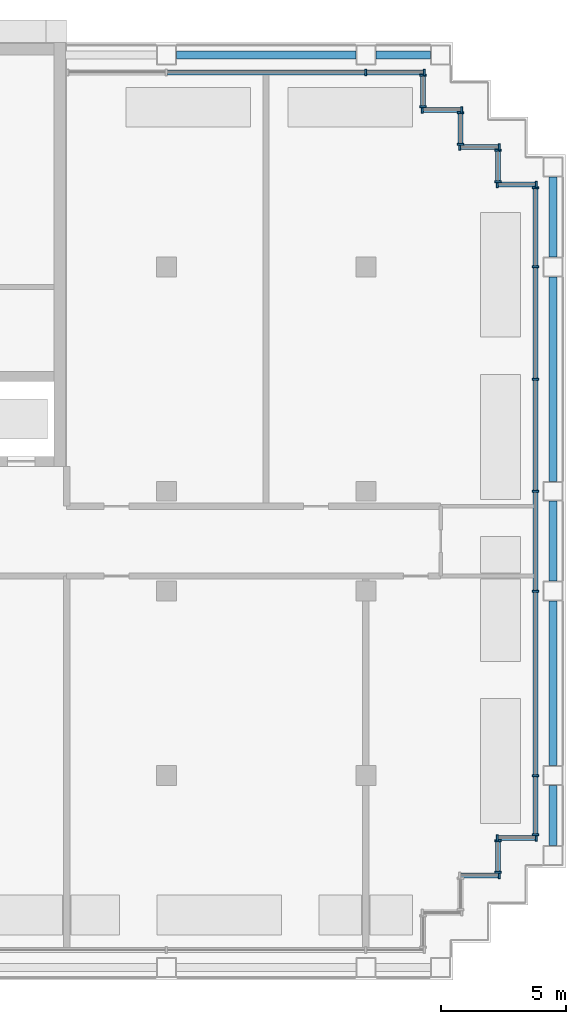
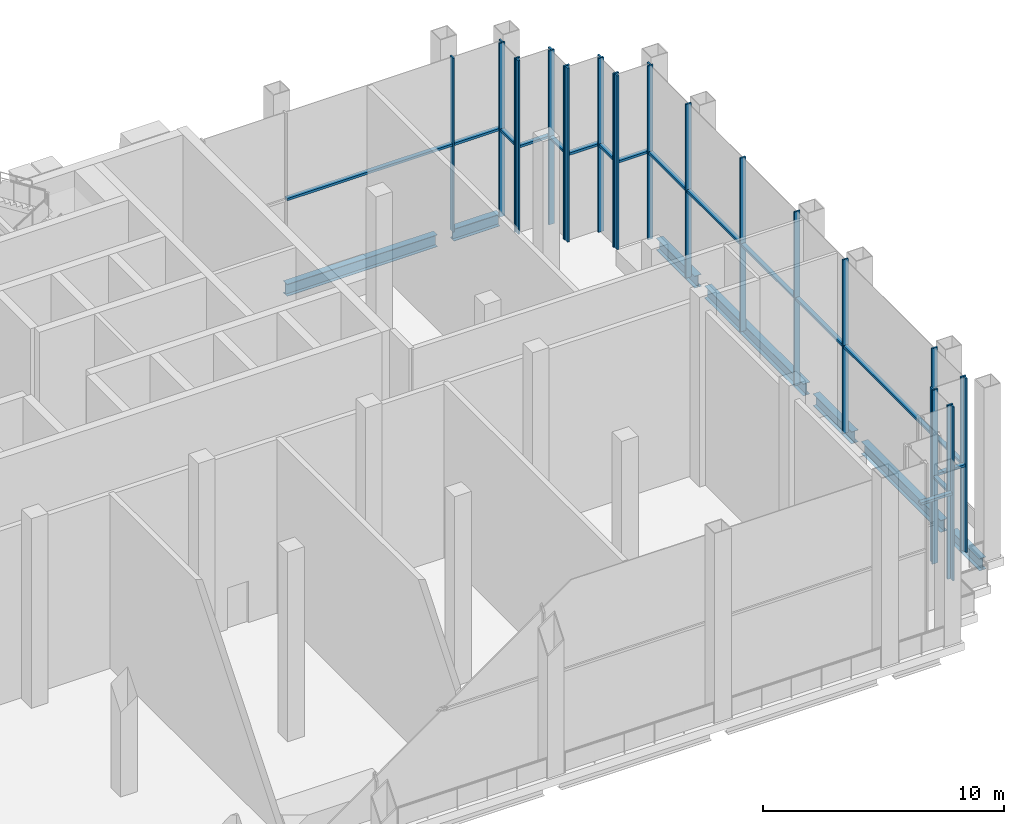
# One storey, part 5 of 16: 43 members, 7 beams, 11 elements without a shape of their own.
"""IFC4 building model written with IfcOpenShell, lengths in metres."""

import ifcopenshell
import ifcopenshell.guid

model = None  # the IFC model being written
_history = None  # IfcOwnerHistory: only IFC2X3 demands one
_inside = {}  # id of a spatial element -> (the spatial element, [elements in it])
_under = {}  # id of a project, library or spatial element -> (it, [spatial elements below it])
_declared = {}  # id of a project -> (the project, [libraries it declares])
_typed = {}  # id of a type object -> (the type object, [elements of that type])
_made_of = {}  # id of a material, layer set ... -> (it, [elements and type objects made of it])


def new_model(schema):
    """Start an empty IFC model of exactly this schema.

    Asked for "IFC4X3", IfcOpenShell would pick the latest addendum, in which some entities
    have other attributes; the version numbers below select the first issue.
    IFC2X3 requires an IfcOwnerHistory on every rooted entity: one is made here for all.
    """
    global model, _history
    if schema == "IFC4X3":
        model = ifcopenshell.file(schema_version=(4, 3, 0, 0))
    else:
        model = ifcopenshell.file(schema=schema)
    _inside.clear()
    _under.clear()
    _declared.clear()
    _typed.clear()
    _made_of.clear()
    _history = None
    if model.schema == "IFC2X3":
        org = make("IfcOrganization", Name="unknown")
        user = make(
            "IfcPersonAndOrganization",
            ThePerson=make("IfcPerson", FamilyName="unknown"),
            TheOrganization=org,
        )
        app = make(
            "IfcApplication",
            ApplicationDeveloper=org,
            Version="unknown",
            ApplicationFullName="unknown",
            ApplicationIdentifier="unknown",
        )
        _history = make(
            "IfcOwnerHistory",
            OwningUser=user,
            OwningApplication=app,
            ChangeAction="ADDED",
            CreationDate=0,
        )
    return model


def make(cls, **values):
    """One entity of the class cls with the attributes given. An attribute that is None is left unset."""
    return model.create_entity(
        cls, **{name: value for name, value in values.items() if value is not None}
    )


def rooted(cls, **values):
    """An entity with a GlobalId (a new one), such as an element, a storey or a relation."""
    return make(cls, GlobalId=ifcopenshell.guid.new(), OwnerHistory=_history, **values)


def si_unit(unit_type, name, prefix=None):
    """IfcSIUnit, for example si_unit("LENGTHUNIT", "METRE", prefix="MILLI")."""
    return make("IfcSIUnit", UnitType=unit_type, Prefix=prefix, Name=name)


def assignment(units):
    """IfcUnitAssignment: the units of a project."""
    return None if units is None else make("IfcUnitAssignment", Units=units)


def point(xyz):
    """IfcCartesianPoint."""
    return None if xyz is None else make("IfcCartesianPoint", Coordinates=xyz)


def direction(xyz):
    """IfcDirection."""
    return None if xyz is None else make("IfcDirection", DirectionRatios=xyz)


def frame(location, z_axis=None, x_axis=None):
    """IfcAxis2Placement3D, a coordinate frame: its origin and axes. An axis left out is left unset."""
    return make(
        "IfcAxis2Placement3D",
        Location=point(location),
        Axis=direction(z_axis),
        RefDirection=direction(x_axis),
    )


def frame_2d(location, x_axis=None):
    """IfcAxis2Placement2D, a coordinate frame in the plane: its origin and x axis."""
    return make(
        "IfcAxis2Placement2D", Location=point(location), RefDirection=direction(x_axis)
    )


def origin():
    """The frame at (0, 0, 0) with its axes left unset."""
    return frame((0.0, 0.0, 0.0))


def origin_2d():
    """The frame at (0, 0) in the plane with its x axis left unset."""
    return frame_2d((0.0, 0.0))


def place(relative_to, where):
    """IfcLocalPlacement: puts the frame where relative to a parent placement (None: the world)."""
    return make(
        "IfcLocalPlacement", PlacementRelTo=relative_to, RelativePlacement=where
    )


def context(
    kind, dimensions, precision=None, world=None, true_north=None, identifier=None
):
    """IfcGeometricRepresentationContext, for example the 3D "Model" context."""
    return make(
        "IfcGeometricRepresentationContext",
        ContextIdentifier=identifier,
        ContextType=kind,
        CoordinateSpaceDimension=dimensions,
        Precision=precision,
        WorldCoordinateSystem=world,
        TrueNorth=true_north,
    )


def subcontext(parent, identifier, kind, view, scale=None):
    """IfcGeometricRepresentationSubContext, for example "Body" below "Model"."""
    return make(
        "IfcGeometricRepresentationSubContext",
        ContextIdentifier=identifier,
        ContextType=kind,
        ParentContext=parent,
        TargetScale=scale,
        TargetView=view,
    )


def project(units=None, contexts=None):
    """IfcProject with its units and contexts."""
    return rooted(
        "IfcProject",
        Name="project",
        RepresentationContexts=contexts,
        UnitsInContext=assignment(units),
    )


def spatial(cls, under=None, at=None, **own):
    """A site, building, storey or space (cls), placed at a placement, below another one or the project."""
    s = rooted(cls, ObjectPlacement=at, **own)
    if under is not None:
        _under.setdefault(under.id(), (under, []))[1].append(s)
    return s


def profile(cls, at=None, kind="AREA", **sizes):
    """A parametric profile (cls). Its sizes go by their IFC names, for example OverallWidth=200.0."""
    return make(cls, ProfileType=kind, Position=at, **sizes)


def rectangle(**sizes):
    """IfcRectangleProfileDef."""
    return profile("IfcRectangleProfileDef", **sizes)


def i_section(**sizes):
    """IfcIShapeProfileDef."""
    return profile("IfcIShapeProfileDef", **sizes)


def extrude(swept, where, along, depth):
    """IfcExtrudedAreaSolid: the profile swept, set in the frame where, extruded along a direction by depth."""
    return make(
        "IfcExtrudedAreaSolid",
        SweptArea=swept,
        Position=where,
        ExtrudedDirection=direction(along),
        Depth=depth,
    )


def shape(context_of_items, identifier, shape_type, items):
    """IfcShapeRepresentation: the items that make up one representation, for example the "Body"."""
    return make(
        "IfcShapeRepresentation",
        ContextOfItems=context_of_items,
        RepresentationIdentifier=identifier,
        RepresentationType=shape_type,
        Items=items,
    )


def material(Name=None, Category=None):
    """IfcMaterial."""
    return make("IfcMaterial", Name=Name, Category=Category)


def material_profile(
    of_material, cross_section, Name=None, Category=None, Priority=None
):
    """IfcMaterialProfile: a cross section and its material."""
    return make(
        "IfcMaterialProfile",
        Name=Name,
        Material=of_material,
        Profile=cross_section,
        Priority=Priority,
        Category=Category,
    )


def profile_set(profiles, Name=None, composite=None):
    """IfcMaterialProfileSet."""
    return make(
        "IfcMaterialProfileSet",
        Name=Name,
        MaterialProfiles=profiles,
        CompositeProfile=composite,
    )


def made_of(thing, what):
    """Note that an element or type object is made of a material, layer set ...; save() writes the relation."""
    if what is not None:
        _made_of.setdefault(what.id(), (what, []))[1].append(thing)
    return thing


def type_object(cls, material=None, **own):
    """A type object (cls), such as IfcWallType, which elements share."""
    return made_of(rooted(cls, **own), material)


def element(
    cls,
    number,
    at=None,
    inside=None,
    cuts=None,
    type_object=None,
    material=None,
    context=None,
    identifier="Body",
    shape_type=None,
    held_by="IfcProductDefinitionShape",
    body=None,
    shapes=None,
    **own,
):
    """One element of the class cls, such as IfcWall. Its Tag is "e" and its number.

    at: its placement. inside: the storey or other place that contains it. cuts: it is an
    opening in that element (IfcRelVoidsElement). A single representation is given by context,
    identifier, shape_type and body (its items); several are given by shapes. held_by: the class
    of the entity that holds the representations. save() writes the other relations.
    """
    e = rooted(cls, Tag="e%d" % number, ObjectPlacement=at, **own)
    if body is not None:
        shapes = [shape(context, identifier, shape_type, body)]
    if shapes is not None:
        e.Representation = make(held_by, Representations=shapes)
    if inside is not None:
        _inside.setdefault(inside.id(), (inside, []))[1].append(e)
    if cuts is not None:
        rooted(
            "IfcRelVoidsElement", RelatingBuildingElement=cuts, RelatedOpeningElement=e
        )
    if type_object is not None:
        _typed.setdefault(type_object.id(), (type_object, []))[1].append(e)
    return made_of(e, material)


def aggregate(whole, parts):
    """IfcRelAggregates: a whole, such as a stair, and the parts it consists of."""
    return rooted("IfcRelAggregates", RelatingObject=whole, RelatedObjects=parts)


def save(model, path):
    """Write the relations noted so far, then the file.

    IfcRelAggregates (storeys below a building ...), IfcRelContainedInSpatialStructure (elements
    in a storey), IfcRelDefinesByType, IfcRelAssociatesMaterial and IfcRelDeclares: one each for
    every whole, place, type object, material and project.
    """
    for whole, parts in _under.values():
        aggregate(whole, parts)
    for where, things in _inside.values():
        rooted(
            "IfcRelContainedInSpatialStructure",
            RelatedElements=things,
            RelatingStructure=where,
        )
    for kind, things in _typed.values():
        rooted("IfcRelDefinesByType", RelatedObjects=things, RelatingType=kind)
    for what, things in _made_of.values():
        rooted("IfcRelAssociatesMaterial", RelatedObjects=things, RelatingMaterial=what)
    for by, libraries in _declared.values():
        rooted("IfcRelDeclares", RelatingContext=by, RelatedDefinitions=libraries)
    model.write(path)


model = new_model("IFC4")

# Units and contexts
model_context = context("Model", 3, precision=1e-05, world=origin(), true_north=direction((0.0, 1.0)))
body_context = subcontext(model_context, "Body", "Model", "MODEL_VIEW")
ifc_project = project(units=[si_unit("LENGTHUNIT", "METRE"), si_unit("AREAUNIT", "SQUARE_METRE"), si_unit("VOLUMEUNIT", "CUBIC_METRE"), si_unit("PLANEANGLEUNIT", "RADIAN"), si_unit("MASSUNIT", "GRAM", prefix="KILO")], contexts=[model_context])

# Site, building, storey
site_placement = place(None, origin())
site = spatial("IfcSite", under=ifc_project, at=site_placement, CompositionType="ELEMENT")
building_placement = place(site_placement, origin())
building = spatial("IfcBuilding", under=site, at=building_placement, Name="Vidyagriha Tower", CompositionType="ELEMENT")
storey_placement = place(building_placement, frame((0.0, 0.0, 151.800048828125)))
storey = spatial("IfcBuildingStorey", under=building, at=storey_placement, Name="L40", CompositionType="ELEMENT", Elevation=151.800048828125)

# Beams
ifc_material_1 = material(Name="Steel ASTM A992 Grade 50", Category="steel")
ifc_material_profile_1 = material_profile(ifc_material_1, i_section(OverallWidth=0.32373046875, OverallDepth=0.612060546875, WebThickness=0.0126953125, FlangeThickness=0.01904296875, at=origin_2d()), Name="W24X104")
ifc_profile_set_1 = profile_set([ifc_material_profile_1], Name="Steel ASTM A992 Grade 50")
beam_type = type_object("IfcBeamType", Name="Edge beam W24X104", PredefinedType="SPANDREL", material=ifc_profile_set_1)
beam_1_placement = place(storey_placement, frame((33.5, -12.199951171875, -0.7060546875), z_axis=(0.0, 1.0, 0.0), x_axis=(-1.0, 0.0, 0.0)))
element("IfcBeam", 1, at=beam_1_placement, inside=storey, type_object=beam_type, Name="st-beam-L40-E14", PredefinedType="SPANDREL", context=body_context, shape_type="SweptSolid", body=[
    extrude(i_section(OverallWidth=0.32373046875, OverallDepth=0.612060546875, WebThickness=0.0126953125, FlangeThickness=0.01904296875, at=origin_2d()), origin(), (0.0, 0.0, 1.0), 2.39990234375),
])
beam_2_placement = place(storey_placement, frame((33.5, -9.0, -0.7060546875), z_axis=(0.0, 1.0, 0.0), x_axis=(-1.0, 0.0, 0.0)))
element("IfcBeam", 2, at=beam_2_placement, inside=storey, type_object=beam_type, Name="st-beam-L40-E15", PredefinedType="SPANDREL", context=body_context, shape_type="SweptSolid", body=[
    extrude(i_section(OverallWidth=0.32373046875, OverallDepth=0.612060546875, WebThickness=0.0126953125, FlangeThickness=0.01904296875, at=origin_2d()), origin(), (0.0, 0.0, 1.0), 6.60009765625),
])
beam_3_placement = place(storey_placement, frame((33.5, -1.60009765625, -0.7060546875), z_axis=(0.0, 1.0, 0.0), x_axis=(-1.0, 0.0, 0.0)))
element("IfcBeam", 3, at=beam_3_placement, inside=storey, type_object=beam_type, Name="st-beam-L40-E16", PredefinedType="SPANDREL", context=body_context, shape_type="SweptSolid", body=[
    extrude(i_section(OverallWidth=0.32373046875, OverallDepth=0.612060546875, WebThickness=0.0126953125, FlangeThickness=0.01904296875, at=origin_2d()), origin(), (0.0, 0.0, 1.0), 3.2001953125),
])
beam_4_placement = place(storey_placement, frame((33.5, 2.39990234375, -0.7060546875), z_axis=(0.0, 1.0, 0.0), x_axis=(-1.0, 0.0, 0.0)))
element("IfcBeam", 4, at=beam_4_placement, inside=storey, type_object=beam_type, Name="st-beam-L40-E17", PredefinedType="SPANDREL", context=body_context, shape_type="SweptSolid", body=[
    extrude(i_section(OverallWidth=0.32373046875, OverallDepth=0.612060546875, WebThickness=0.0126953125, FlangeThickness=0.01904296875, at=origin_2d()), origin(), (0.0, 0.0, 1.0), 8.2001953125),
])
beam_5_placement = place(storey_placement, frame((33.5, 11.39990234375, -0.7060546875), z_axis=(0.0, 1.0, 0.0), x_axis=(-1.0, 0.0, 0.0)))
element("IfcBeam", 5, at=beam_5_placement, inside=storey, type_object=beam_type, Name="st-beam-L40-E18", PredefinedType="SPANDREL", context=body_context, shape_type="SweptSolid", body=[
    extrude(i_section(OverallWidth=0.32373046875, OverallDepth=0.612060546875, WebThickness=0.0126953125, FlangeThickness=0.01904296875, at=origin_2d()), origin(), (0.0, 0.0, 1.0), 3.2001953125),
])
beam_6_placement = place(storey_placement, frame((18.39990234375, 19.5, -0.7060546875), z_axis=(1.0, 0.0, 0.0), x_axis=(0.0, 1.0, 0.0)))
element("IfcBeam", 6, at=beam_6_placement, inside=storey, type_object=beam_type, Name="st-beam-L40-NE20", PredefinedType="SPANDREL", context=body_context, shape_type="SweptSolid", body=[
    extrude(i_section(OverallWidth=0.32373046875, OverallDepth=0.612060546875, WebThickness=0.0126953125, FlangeThickness=0.01904296875, at=origin_2d()), origin(), (0.0, 0.0, 1.0), 7.2001953125),
])
beam_7_placement = place(storey_placement, frame((26.39990234375, 19.5, -0.7060546875), z_axis=(1.0, 0.0, 0.0), x_axis=(0.0, 1.0, 0.0)))
element("IfcBeam", 7, at=beam_7_placement, inside=storey, type_object=beam_type, Name="st-beam-L40-NE21", PredefinedType="SPANDREL", context=body_context, shape_type="SweptSolid", body=[
    extrude(i_section(OverallWidth=0.32373046875, OverallDepth=0.612060546875, WebThickness=0.0126953125, FlangeThickness=0.01904296875, at=origin_2d()), origin(), (0.0, 0.0, 1.0), 2.2001953125),
])

# Curtain wall, members
ifc_material_2 = material(Name="Aluminium and glass curtain wall", Category="aluminium")
curtain_wall_type = type_object("IfcCurtainWallType", Name="Winter garden glazing wall", PredefinedType="USERDEFINED", material=ifc_material_2)
curtain_wall_1_placement = place(storey_placement, origin())
curtain_wall_1 = element("IfcCurtainWall", 8, at=curtain_wall_1_placement, inside=storey, type_object=curtain_wall_type, Name="CW3 winter garden glazing", ObjectType="STICK GLAZING", PredefinedType="USERDEFINED")
ifc_material_3 = material(Name="Aluminium black anodised", Category="aluminium")
ifc_material_profile_2 = material_profile(ifc_material_3, rectangle(XDim=0.260009765625, YDim=0.080078125, at=origin_2d()), Name="Mullion 80x260 black aluminium")
ifc_profile_set_2 = profile_set([ifc_material_profile_2], Name="Aluminium black anodised")
member_type_1 = type_object("IfcMemberType", Name="Mullion 80x260 black aluminium", PredefinedType="MULLION", material=ifc_profile_set_2)
member_1_placement = place(storey_placement, frame((32.840087890625, 14.300048828125, 0.0), z_axis=(0.0, 0.0, 1.0), x_axis=(0.0, -1.0, 0.0)))
member_1 = element("IfcMember", 9, at=member_1_placement, type_object=member_type_1, Name="CW3 mullion 1", PredefinedType="MULLION", context=body_context, shape_type="SweptSolid", body=[
    extrude(rectangle(XDim=0.260009765625, YDim=0.080078125, at=origin_2d()), origin(), (0.0, 0.0, 1.0), 8.800048828125),
])
member_2_placement = place(storey_placement, frame((31.260009765625, 14.300048828125, 0.0), z_axis=(0.0, 0.0, 1.0), x_axis=(0.0, -1.0, 0.0)))
member_2 = element("IfcMember", 10, at=member_2_placement, type_object=member_type_1, Name="CW3 mullion 2", PredefinedType="MULLION", context=body_context, shape_type="SweptSolid", body=[
    extrude(rectangle(XDim=0.260009765625, YDim=0.080078125, at=origin_2d()), origin(), (0.0, 0.0, 1.0), 8.800048828125),
])

curtain_wall_2_placement = place(storey_placement, origin())
curtain_wall_2 = element("IfcCurtainWall", 11, at=curtain_wall_2_placement, inside=storey, type_object=curtain_wall_type, Name="CW3 winter garden glazing", ObjectType="STICK GLAZING", PredefinedType="USERDEFINED")
member_3_placement = place(storey_placement, frame((31.300048828125, 14.419921875, 0.0), z_axis=(0.0, 0.0, 1.0), x_axis=(-1.0, 0.0, 0.0)))
member_3 = element("IfcMember", 12, at=member_3_placement, type_object=member_type_1, Name="CW3 mullion 1", PredefinedType="MULLION", context=body_context, shape_type="SweptSolid", body=[
    extrude(rectangle(XDim=0.260009765625, YDim=0.080078125, at=origin_2d()), origin(), (0.0, 0.0, 1.0), 8.800048828125),
])
member_4_placement = place(storey_placement, frame((31.300048828125, 15.679931640625, 0.0), z_axis=(0.0, 0.0, 1.0), x_axis=(-1.0, 0.0, 0.0)))
member_4 = element("IfcMember", 13, at=member_4_placement, type_object=member_type_1, Name="CW3 mullion 2", PredefinedType="MULLION", context=body_context, shape_type="SweptSolid", body=[
    extrude(rectangle(XDim=0.260009765625, YDim=0.080078125, at=origin_2d()), origin(), (0.0, 0.0, 1.0), 8.800048828125),
])

curtain_wall_3_placement = place(storey_placement, origin())
curtain_wall_3 = element("IfcCurtainWall", 14, at=curtain_wall_3_placement, inside=storey, type_object=curtain_wall_type, Name="CW3 winter garden glazing", ObjectType="STICK GLAZING", PredefinedType="USERDEFINED")
member_5_placement = place(storey_placement, frame((31.340087890625, 15.800048828125, 0.0), z_axis=(0.0, 0.0, 1.0), x_axis=(0.0, -1.0, 0.0)))
member_5 = element("IfcMember", 15, at=member_5_placement, type_object=member_type_1, Name="CW3 mullion 1", PredefinedType="MULLION", context=body_context, shape_type="SweptSolid", body=[
    extrude(rectangle(XDim=0.260009765625, YDim=0.080078125, at=origin_2d()), origin(), (0.0, 0.0, 1.0), 8.800048828125),
])
member_6_placement = place(storey_placement, frame((29.760009765625, 15.800048828125, 0.0), z_axis=(0.0, 0.0, 1.0), x_axis=(0.0, -1.0, 0.0)))
member_6 = element("IfcMember", 16, at=member_6_placement, type_object=member_type_1, Name="CW3 mullion 2", PredefinedType="MULLION", context=body_context, shape_type="SweptSolid", body=[
    extrude(rectangle(XDim=0.260009765625, YDim=0.080078125, at=origin_2d()), origin(), (0.0, 0.0, 1.0), 8.800048828125),
])

curtain_wall_4_placement = place(storey_placement, origin())
curtain_wall_4 = element("IfcCurtainWall", 17, at=curtain_wall_4_placement, inside=storey, type_object=curtain_wall_type, Name="CW3 winter garden glazing", ObjectType="STICK GLAZING", PredefinedType="USERDEFINED")
member_7_placement = place(storey_placement, frame((29.800048828125, 15.919921875, 0.0), z_axis=(0.0, 0.0, 1.0), x_axis=(-1.0, 0.0, 0.0)))
member_7 = element("IfcMember", 18, at=member_7_placement, type_object=member_type_1, Name="CW3 mullion 1", PredefinedType="MULLION", context=body_context, shape_type="SweptSolid", body=[
    extrude(rectangle(XDim=0.260009765625, YDim=0.080078125, at=origin_2d()), origin(), (0.0, 0.0, 1.0), 8.800048828125),
])
member_8_placement = place(storey_placement, frame((29.800048828125, 17.179931640625, 0.0), z_axis=(0.0, 0.0, 1.0), x_axis=(-1.0, 0.0, 0.0)))
member_8 = element("IfcMember", 19, at=member_8_placement, type_object=member_type_1, Name="CW3 mullion 2", PredefinedType="MULLION", context=body_context, shape_type="SweptSolid", body=[
    extrude(rectangle(XDim=0.260009765625, YDim=0.080078125, at=origin_2d()), origin(), (0.0, 0.0, 1.0), 8.800048828125),
])

curtain_wall_5_placement = place(storey_placement, origin())
curtain_wall_5 = element("IfcCurtainWall", 20, at=curtain_wall_5_placement, inside=storey, type_object=curtain_wall_type, Name="CW3 winter garden glazing", ObjectType="STICK GLAZING", PredefinedType="USERDEFINED")
member_9_placement = place(storey_placement, frame((29.840087890625, 17.300048828125, 0.0), z_axis=(0.0, 0.0, 1.0), x_axis=(0.0, -1.0, 0.0)))
member_9 = element("IfcMember", 21, at=member_9_placement, type_object=member_type_1, Name="CW3 mullion 1", PredefinedType="MULLION", context=body_context, shape_type="SweptSolid", body=[
    extrude(rectangle(XDim=0.260009765625, YDim=0.080078125, at=origin_2d()), origin(), (0.0, 0.0, 1.0), 8.800048828125),
])
member_10_placement = place(storey_placement, frame((28.260009765625, 17.300048828125, 0.0), z_axis=(0.0, 0.0, 1.0), x_axis=(0.0, -1.0, 0.0)))
member_10 = element("IfcMember", 22, at=member_10_placement, type_object=member_type_1, Name="CW3 mullion 2", PredefinedType="MULLION", context=body_context, shape_type="SweptSolid", body=[
    extrude(rectangle(XDim=0.260009765625, YDim=0.080078125, at=origin_2d()), origin(), (0.0, 0.0, 1.0), 8.800048828125),
])

curtain_wall_6_placement = place(storey_placement, origin())
curtain_wall_6 = element("IfcCurtainWall", 23, at=curtain_wall_6_placement, inside=storey, type_object=curtain_wall_type, Name="CW3 winter garden glazing", ObjectType="STICK GLAZING", PredefinedType="USERDEFINED")
member_11_placement = place(storey_placement, frame((28.300048828125, 17.419921875, 0.0), z_axis=(0.0, 0.0, 1.0), x_axis=(-1.0, 0.0, 0.0)))
member_11 = element("IfcMember", 24, at=member_11_placement, type_object=member_type_1, Name="CW3 mullion 1", PredefinedType="MULLION", context=body_context, shape_type="SweptSolid", body=[
    extrude(rectangle(XDim=0.260009765625, YDim=0.080078125, at=origin_2d()), origin(), (0.0, 0.0, 1.0), 8.800048828125),
])
member_12_placement = place(storey_placement, frame((28.300048828125, 18.679931640625, 0.0), z_axis=(0.0, 0.0, 1.0), x_axis=(-1.0, 0.0, 0.0)))
member_12 = element("IfcMember", 25, at=member_12_placement, type_object=member_type_1, Name="CW3 mullion 2", PredefinedType="MULLION", context=body_context, shape_type="SweptSolid", body=[
    extrude(rectangle(XDim=0.260009765625, YDim=0.080078125, at=origin_2d()), origin(), (0.0, 0.0, 1.0), 8.800048828125),
])

curtain_wall_7_placement = place(storey_placement, origin())
curtain_wall_7 = element("IfcCurtainWall", 26, at=curtain_wall_7_placement, inside=storey, type_object=curtain_wall_type, Name="CW3 winter garden glazing", ObjectType="STICK GLAZING", PredefinedType="USERDEFINED")
member_13_placement = place(storey_placement, frame((28.340087890625, 18.800048828125, 0.0), z_axis=(0.0, 0.0, 1.0), x_axis=(0.0, -1.0, 0.0)))
member_13 = element("IfcMember", 27, at=member_13_placement, type_object=member_type_1, Name="CW3 mullion 1", PredefinedType="MULLION", context=body_context, shape_type="SweptSolid", body=[
    extrude(rectangle(XDim=0.260009765625, YDim=0.080078125, at=origin_2d()), origin(), (0.0, 0.0, 1.0), 8.800048828125),
])
member_14_placement = place(storey_placement, frame((26.0, 18.800048828125, 0.0), z_axis=(0.0, 0.0, 1.0), x_axis=(0.0, -1.0, 0.0)))
member_14 = element("IfcMember", 28, at=member_14_placement, type_object=member_type_1, Name="CW3 mullion 2", PredefinedType="MULLION", context=body_context, shape_type="SweptSolid", body=[
    extrude(rectangle(XDim=0.260009765625, YDim=0.080078125, at=origin_2d()), origin(), (0.0, 0.0, 1.0), 8.800048828125),
])

# Curtain wall, member
curtain_wall_8_placement = place(storey_placement, origin())
curtain_wall_8 = element("IfcCurtainWall", 29, at=curtain_wall_8_placement, inside=storey, type_object=curtain_wall_type, Name="CW3 winter garden glazing", ObjectType="STICK GLAZING", PredefinedType="USERDEFINED")
member_15_placement = place(storey_placement, frame((31.340087890625, -13.39990234375, 0.0), z_axis=(0.0, 0.0, 1.0), x_axis=(0.0, 1.0, 0.0)))
member_15 = element("IfcMember", 30, at=member_15_placement, type_object=member_type_1, Name="CW3 mullion 2", PredefinedType="MULLION", context=body_context, shape_type="SweptSolid", body=[
    extrude(rectangle(XDim=0.260009765625, YDim=0.080078125, at=origin_2d()), origin(), (0.0, 0.0, 1.0), 8.800048828125),
])

# Curtain wall, members
curtain_wall_9_placement = place(storey_placement, origin())
curtain_wall_9 = element("IfcCurtainWall", 31, at=curtain_wall_9_placement, inside=storey, type_object=curtain_wall_type, Name="CW3 winter garden glazing", ObjectType="STICK GLAZING", PredefinedType="USERDEFINED")
member_16_placement = place(storey_placement, frame((31.300048828125, -13.280029296875, 0.0), z_axis=(0.0, 0.0, 1.0), x_axis=(-1.0, 0.0, 0.0)))
member_16 = element("IfcMember", 32, at=member_16_placement, type_object=member_type_1, Name="CW3 mullion 1", PredefinedType="MULLION", context=body_context, shape_type="SweptSolid", body=[
    extrude(rectangle(XDim=0.260009765625, YDim=0.080078125, at=origin_2d()), origin(), (0.0, 0.0, 1.0), 8.800048828125),
])
member_17_placement = place(storey_placement, frame((31.300048828125, -12.02001953125, 0.0), z_axis=(0.0, 0.0, 1.0), x_axis=(-1.0, 0.0, 0.0)))
member_17 = element("IfcMember", 33, at=member_17_placement, type_object=member_type_1, Name="CW3 mullion 2", PredefinedType="MULLION", context=body_context, shape_type="SweptSolid", body=[
    extrude(rectangle(XDim=0.260009765625, YDim=0.080078125, at=origin_2d()), origin(), (0.0, 0.0, 1.0), 8.800048828125),
])

curtain_wall_10_placement = place(storey_placement, origin())
curtain_wall_10 = element("IfcCurtainWall", 34, at=curtain_wall_10_placement, inside=storey, type_object=curtain_wall_type, Name="CW3 winter garden glazing", ObjectType="STICK GLAZING", PredefinedType="USERDEFINED")
member_18_placement = place(storey_placement, frame((31.260009765625, -11.89990234375, 0.0), z_axis=(0.0, 0.0, 1.0), x_axis=(0.0, 1.0, 0.0)))
member_18 = element("IfcMember", 35, at=member_18_placement, type_object=member_type_1, Name="CW3 mullion 1", PredefinedType="MULLION", context=body_context, shape_type="SweptSolid", body=[
    extrude(rectangle(XDim=0.260009765625, YDim=0.080078125, at=origin_2d()), origin(), (0.0, 0.0, 1.0), 8.800048828125),
])
member_19_placement = place(storey_placement, frame((32.840087890625, -11.89990234375, 0.0), z_axis=(0.0, 0.0, 1.0), x_axis=(0.0, 1.0, 0.0)))
member_19 = element("IfcMember", 36, at=member_19_placement, type_object=member_type_1, Name="CW3 mullion 2", PredefinedType="MULLION", context=body_context, shape_type="SweptSolid", body=[
    extrude(rectangle(XDim=0.260009765625, YDim=0.080078125, at=origin_2d()), origin(), (0.0, 0.0, 1.0), 8.800048828125),
])

curtain_wall_11_placement = place(storey_placement, origin())
curtain_wall_11 = element("IfcCurtainWall", 37, at=curtain_wall_11_placement, inside=storey, type_object=curtain_wall_type, Name="CW3 winter garden glazing", ObjectType="STICK GLAZING", PredefinedType="USERDEFINED")
member_20_placement = place(storey_placement, frame((32.800048828125, -11.780029296875, 0.0), z_axis=(0.0, 0.0, 1.0), x_axis=(-1.0, 0.0, 0.0)))
member_20 = element("IfcMember", 38, at=member_20_placement, type_object=member_type_1, Name="CW3 mullion 1", PredefinedType="MULLION", context=body_context, shape_type="SweptSolid", body=[
    extrude(rectangle(XDim=0.260009765625, YDim=0.080078125, at=origin_2d()), origin(), (0.0, 0.0, 1.0), 8.800048828125),
])
member_21_placement = place(storey_placement, frame((32.800048828125, -9.39990234375, 0.0), z_axis=(0.0, 0.0, 1.0), x_axis=(-1.0, 0.0, 0.0)))
member_21 = element("IfcMember", 39, at=member_21_placement, type_object=member_type_1, Name="CW3 mullion 2", PredefinedType="MULLION", context=body_context, shape_type="SweptSolid", body=[
    extrude(rectangle(XDim=0.260009765625, YDim=0.080078125, at=origin_2d()), origin(), (0.0, 0.0, 1.0), 8.800048828125),
])
member_22_placement = place(storey_placement, frame((32.800048828125, -2.0, 0.0), z_axis=(0.0, 0.0, 1.0), x_axis=(-1.0, 0.0, 0.0)))
member_22 = element("IfcMember", 40, at=member_22_placement, type_object=member_type_1, Name="CW3 mullion 3", PredefinedType="MULLION", context=body_context, shape_type="SweptSolid", body=[
    extrude(rectangle(XDim=0.260009765625, YDim=0.080078125, at=origin_2d()), origin(), (0.0, 0.0, 1.0), 8.800048828125),
])
member_23_placement = place(storey_placement, frame((32.800048828125, 2.0, 0.0), z_axis=(0.0, 0.0, 1.0), x_axis=(-1.0, 0.0, 0.0)))
member_23 = element("IfcMember", 41, at=member_23_placement, type_object=member_type_1, Name="CW3 mullion 4", PredefinedType="MULLION", context=body_context, shape_type="SweptSolid", body=[
    extrude(rectangle(XDim=0.260009765625, YDim=0.080078125, at=origin_2d()), origin(), (0.0, 0.0, 1.0), 8.800048828125),
])
member_24_placement = place(storey_placement, frame((32.800048828125, 6.5, 0.0), z_axis=(0.0, 0.0, 1.0), x_axis=(-1.0, 0.0, 0.0)))
member_24 = element("IfcMember", 42, at=member_24_placement, type_object=member_type_1, Name="CW3 mullion 5", PredefinedType="MULLION", context=body_context, shape_type="SweptSolid", body=[
    extrude(rectangle(XDim=0.260009765625, YDim=0.080078125, at=origin_2d()), origin(), (0.0, 0.0, 1.0), 8.800048828125),
])
member_25_placement = place(storey_placement, frame((32.800048828125, 11.0, 0.0), z_axis=(0.0, 0.0, 1.0), x_axis=(-1.0, 0.0, 0.0)))
member_25 = element("IfcMember", 43, at=member_25_placement, type_object=member_type_1, Name="CW3 mullion 6", PredefinedType="MULLION", context=body_context, shape_type="SweptSolid", body=[
    extrude(rectangle(XDim=0.260009765625, YDim=0.080078125, at=origin_2d()), origin(), (0.0, 0.0, 1.0), 8.800048828125),
])
member_26_placement = place(storey_placement, frame((32.800048828125, 14.179931640625, 0.0), z_axis=(0.0, 0.0, 1.0), x_axis=(-1.0, 0.0, 0.0)))
member_26 = element("IfcMember", 44, at=member_26_placement, type_object=member_type_1, Name="CW3 mullion 7", PredefinedType="MULLION", context=body_context, shape_type="SweptSolid", body=[
    extrude(rectangle(XDim=0.260009765625, YDim=0.080078125, at=origin_2d()), origin(), (0.0, 0.0, 1.0), 8.800048828125),
])

# Member
ifc_material_4 = material(Name="Aluminium black anodised", Category="aluminium")
ifc_material_profile_3 = material_profile(ifc_material_4, rectangle(XDim=0.199951171875, YDim=0.1201171875, at=origin_2d()), Name="Transom 120x200 black aluminium")
ifc_profile_set_3 = profile_set([ifc_material_profile_3], Name="Aluminium black anodised")
member_type_2 = type_object("IfcMemberType", Name="Transom 120x200 black aluminium", PredefinedType="USERDEFINED", material=ifc_profile_set_3)
member_27_placement = place(storey_placement, frame((32.800048828125, 14.300048828125, 4.39990234375), z_axis=(-1.0, 0.0, 0.0), x_axis=(0.0, -1.0, 0.0)))
member_27 = element("IfcMember", 45, at=member_27_placement, type_object=member_type_2, Name="CW3 transom 1.1", ObjectType="TRANSOM", PredefinedType="USERDEFINED", context=body_context, shape_type="SweptSolid", body=[
    extrude(rectangle(XDim=0.199951171875, YDim=0.1201171875, at=origin_2d()), origin(), (0.0, 0.0, 1.0), 1.5),
])

aggregate(curtain_wall_1, [member_1, member_2, member_27])

member_28_placement = place(storey_placement, frame((31.300048828125, 14.4599609375, 4.39990234375), z_axis=(0.0, 1.0, 0.0), x_axis=(-1.0, 0.0, 0.0)))
member_28 = element("IfcMember", 46, at=member_28_placement, type_object=member_type_2, Name="CW3 transom 1.1", ObjectType="TRANSOM", PredefinedType="USERDEFINED", context=body_context, shape_type="SweptSolid", body=[
    extrude(rectangle(XDim=0.199951171875, YDim=0.1201171875, at=origin_2d()), origin(), (0.0, 0.0, 1.0), 1.179931640625),
])

aggregate(curtain_wall_2, [member_3, member_4, member_28])

member_29_placement = place(storey_placement, frame((31.300048828125, 15.800048828125, 4.39990234375), z_axis=(-1.0, 0.0, 0.0), x_axis=(0.0, -1.0, 0.0)))
member_29 = element("IfcMember", 47, at=member_29_placement, type_object=member_type_2, Name="CW3 transom 1.1", ObjectType="TRANSOM", PredefinedType="USERDEFINED", context=body_context, shape_type="SweptSolid", body=[
    extrude(rectangle(XDim=0.199951171875, YDim=0.1201171875, at=origin_2d()), origin(), (0.0, 0.0, 1.0), 1.5),
])

aggregate(curtain_wall_3, [member_5, member_6, member_29])

member_30_placement = place(storey_placement, frame((29.800048828125, 15.9599609375, 4.39990234375), z_axis=(0.0, 1.0, 0.0), x_axis=(-1.0, 0.0, 0.0)))
member_30 = element("IfcMember", 48, at=member_30_placement, type_object=member_type_2, Name="CW3 transom 1.1", ObjectType="TRANSOM", PredefinedType="USERDEFINED", context=body_context, shape_type="SweptSolid", body=[
    extrude(rectangle(XDim=0.199951171875, YDim=0.1201171875, at=origin_2d()), origin(), (0.0, 0.0, 1.0), 1.179931640625),
])

aggregate(curtain_wall_4, [member_7, member_8, member_30])

member_31_placement = place(storey_placement, frame((29.800048828125, 17.300048828125, 4.39990234375), z_axis=(-1.0, 0.0, 0.0), x_axis=(0.0, -1.0, 0.0)))
member_31 = element("IfcMember", 49, at=member_31_placement, type_object=member_type_2, Name="CW3 transom 1.1", ObjectType="TRANSOM", PredefinedType="USERDEFINED", context=body_context, shape_type="SweptSolid", body=[
    extrude(rectangle(XDim=0.199951171875, YDim=0.1201171875, at=origin_2d()), origin(), (0.0, 0.0, 1.0), 1.5),
])

aggregate(curtain_wall_5, [member_9, member_10, member_31])

member_32_placement = place(storey_placement, frame((28.300048828125, 17.4599609375, 4.39990234375), z_axis=(0.0, 1.0, 0.0), x_axis=(-1.0, 0.0, 0.0)))
member_32 = element("IfcMember", 50, at=member_32_placement, type_object=member_type_2, Name="CW3 transom 1.1", ObjectType="TRANSOM", PredefinedType="USERDEFINED", context=body_context, shape_type="SweptSolid", body=[
    extrude(rectangle(XDim=0.199951171875, YDim=0.1201171875, at=origin_2d()), origin(), (0.0, 0.0, 1.0), 1.179931640625),
])

aggregate(curtain_wall_6, [member_11, member_12, member_32])

member_33_placement = place(storey_placement, frame((28.300048828125, 18.800048828125, 4.39990234375), z_axis=(-1.0, 0.0, 0.0), x_axis=(0.0, -1.0, 0.0)))
member_33 = element("IfcMember", 51, at=member_33_placement, type_object=member_type_2, Name="CW3 transom 1.1", ObjectType="TRANSOM", PredefinedType="USERDEFINED", context=body_context, shape_type="SweptSolid", body=[
    extrude(rectangle(XDim=0.199951171875, YDim=0.1201171875, at=origin_2d()), origin(), (0.0, 0.0, 1.0), 2.260009765625),
])

member_34_placement = place(storey_placement, frame((25.9599609375, 18.800048828125, 4.39990234375), z_axis=(-1.0, 0.0, 0.0), x_axis=(0.0, -1.0, 0.0)))
member_34 = element("IfcMember", 52, at=member_34_placement, type_object=member_type_2, Name="CW3 transom 2.1", ObjectType="TRANSOM", PredefinedType="USERDEFINED", context=body_context, shape_type="SweptSolid", body=[
    extrude(rectangle(XDim=0.199951171875, YDim=0.1201171875, at=origin_2d()), origin(), (0.0, 0.0, 1.0), 7.919921875),
])

aggregate(curtain_wall_7, [member_13, member_14, member_33, member_34])

member_35_placement = place(storey_placement, frame((29.800048828125, -13.39990234375, 4.39990234375), z_axis=(1.0, 0.0, 0.0), x_axis=(0.0, 1.0, 0.0)))
member_35 = element("IfcMember", 53, at=member_35_placement, type_object=member_type_2, Name="CW3 transom 1.1", ObjectType="TRANSOM", PredefinedType="USERDEFINED", context=body_context, shape_type="SweptSolid", body=[
    extrude(rectangle(XDim=0.199951171875, YDim=0.1201171875, at=origin_2d()), origin(), (0.0, 0.0, 1.0), 1.5),
])

aggregate(curtain_wall_8, [member_15, member_35])

member_36_placement = place(storey_placement, frame((31.300048828125, -13.239990234375, 4.39990234375), z_axis=(0.0, 1.0, 0.0), x_axis=(-1.0, 0.0, 0.0)))
member_36 = element("IfcMember", 54, at=member_36_placement, type_object=member_type_2, Name="CW3 transom 1.1", ObjectType="TRANSOM", PredefinedType="USERDEFINED", context=body_context, shape_type="SweptSolid", body=[
    extrude(rectangle(XDim=0.199951171875, YDim=0.1201171875, at=origin_2d()), origin(), (0.0, 0.0, 1.0), 1.179931640625),
])

aggregate(curtain_wall_9, [member_16, member_17, member_36])

member_37_placement = place(storey_placement, frame((31.300048828125, -11.89990234375, 4.39990234375), z_axis=(1.0, 0.0, 0.0), x_axis=(0.0, 1.0, 0.0)))
member_37 = element("IfcMember", 55, at=member_37_placement, type_object=member_type_2, Name="CW3 transom 1.1", ObjectType="TRANSOM", PredefinedType="USERDEFINED", context=body_context, shape_type="SweptSolid", body=[
    extrude(rectangle(XDim=0.199951171875, YDim=0.1201171875, at=origin_2d()), origin(), (0.0, 0.0, 1.0), 1.5),
])

aggregate(curtain_wall_10, [member_18, member_19, member_37])

member_38_placement = place(storey_placement, frame((32.800048828125, -11.739990234375, 4.39990234375), z_axis=(0.0, 1.0, 0.0), x_axis=(-1.0, 0.0, 0.0)))
member_38 = element("IfcMember", 56, at=member_38_placement, type_object=member_type_2, Name="CW3 transom 1.1", ObjectType="TRANSOM", PredefinedType="USERDEFINED", context=body_context, shape_type="SweptSolid", body=[
    extrude(rectangle(XDim=0.199951171875, YDim=0.1201171875, at=origin_2d()), origin(), (0.0, 0.0, 1.0), 2.300048828125),
])

member_39_placement = place(storey_placement, frame((32.800048828125, -9.360107421875, 4.39990234375), z_axis=(0.0, 1.0, 0.0), x_axis=(-1.0, 0.0, 0.0)))
member_39 = element("IfcMember", 57, at=member_39_placement, type_object=member_type_2, Name="CW3 transom 2.1", ObjectType="TRANSOM", PredefinedType="USERDEFINED", context=body_context, shape_type="SweptSolid", body=[
    extrude(rectangle(XDim=0.199951171875, YDim=0.1201171875, at=origin_2d()), origin(), (0.0, 0.0, 1.0), 7.320068359375),
])

member_40_placement = place(storey_placement, frame((32.800048828125, -1.9599609375, 4.39990234375), z_axis=(0.0, 1.0, 0.0), x_axis=(-1.0, 0.0, 0.0)))
member_40 = element("IfcMember", 58, at=member_40_placement, type_object=member_type_2, Name="CW3 transom 3.1", ObjectType="TRANSOM", PredefinedType="USERDEFINED", context=body_context, shape_type="SweptSolid", body=[
    extrude(rectangle(XDim=0.199951171875, YDim=0.1201171875, at=origin_2d()), origin(), (0.0, 0.0, 1.0), 3.919921875),
])

member_41_placement = place(storey_placement, frame((32.800048828125, 2.0400390625, 4.39990234375), z_axis=(0.0, 1.0, 0.0), x_axis=(-1.0, 0.0, 0.0)))
member_41 = element("IfcMember", 59, at=member_41_placement, type_object=member_type_2, Name="CW3 transom 4.1", ObjectType="TRANSOM", PredefinedType="USERDEFINED", context=body_context, shape_type="SweptSolid", body=[
    extrude(rectangle(XDim=0.199951171875, YDim=0.1201171875, at=origin_2d()), origin(), (0.0, 0.0, 1.0), 4.419921875),
])

member_42_placement = place(storey_placement, frame((32.800048828125, 6.5400390625, 4.39990234375), z_axis=(0.0, 1.0, 0.0), x_axis=(-1.0, 0.0, 0.0)))
member_42 = element("IfcMember", 60, at=member_42_placement, type_object=member_type_2, Name="CW3 transom 5.1", ObjectType="TRANSOM", PredefinedType="USERDEFINED", context=body_context, shape_type="SweptSolid", body=[
    extrude(rectangle(XDim=0.199951171875, YDim=0.1201171875, at=origin_2d()), origin(), (0.0, 0.0, 1.0), 4.419921875),
])

member_43_placement = place(storey_placement, frame((32.800048828125, 11.0400390625, 4.39990234375), z_axis=(0.0, 1.0, 0.0), x_axis=(-1.0, 0.0, 0.0)))
member_43 = element("IfcMember", 61, at=member_43_placement, type_object=member_type_2, Name="CW3 transom 6.1", ObjectType="TRANSOM", PredefinedType="USERDEFINED", context=body_context, shape_type="SweptSolid", body=[
    extrude(rectangle(XDim=0.199951171875, YDim=0.1201171875, at=origin_2d()), origin(), (0.0, 0.0, 1.0), 3.099853515625),
])

aggregate(curtain_wall_11, [member_20, member_21, member_22, member_23, member_24, member_25, member_26, member_38, member_39, member_40, member_41, member_42, member_43])

save(model, "model.ifc")
